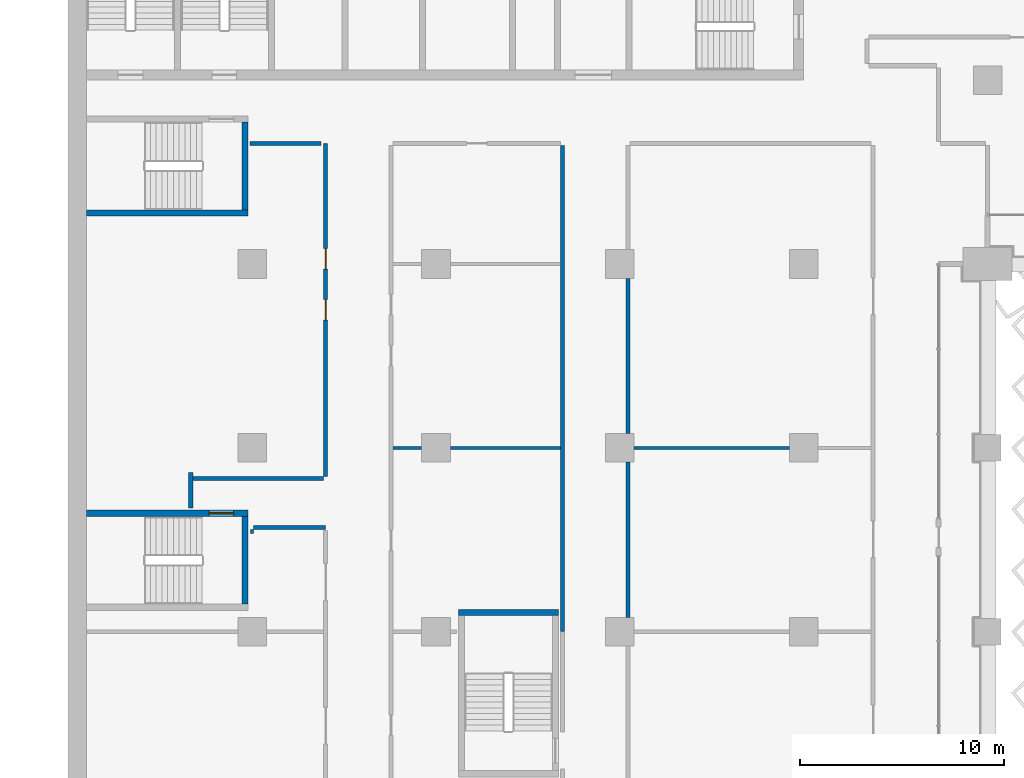
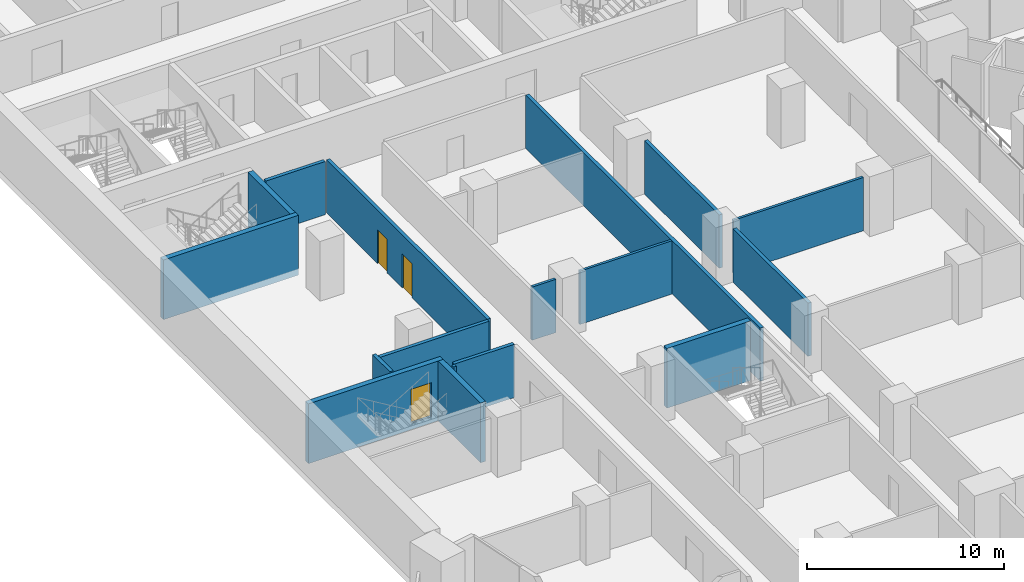
# One storey, part 11 of 28: 17 walls, 3 doors, 3 openings.
"""IFC4 building model written with IfcOpenShell, lengths in metres."""

import ifcopenshell
import ifcopenshell.guid

model = None  # the IFC model being written
_history = None  # IfcOwnerHistory: only IFC2X3 demands one
_inside = {}  # id of a spatial element -> (the spatial element, [elements in it])
_under = {}  # id of a project, library or spatial element -> (it, [spatial elements below it])
_declared = {}  # id of a project -> (the project, [libraries it declares])
_typed = {}  # id of a type object -> (the type object, [elements of that type])
_made_of = {}  # id of a material, layer set ... -> (it, [elements and type objects made of it])


def new_model(schema):
    """Start an empty IFC model of exactly this schema.

    Asked for "IFC4X3", IfcOpenShell would pick the latest addendum, in which some entities
    have other attributes; the version numbers below select the first issue.
    IFC2X3 requires an IfcOwnerHistory on every rooted entity: one is made here for all.
    """
    global model, _history
    if schema == "IFC4X3":
        model = ifcopenshell.file(schema_version=(4, 3, 0, 0))
    else:
        model = ifcopenshell.file(schema=schema)
    _inside.clear()
    _under.clear()
    _declared.clear()
    _typed.clear()
    _made_of.clear()
    _history = None
    if model.schema == "IFC2X3":
        org = make("IfcOrganization", Name="unknown")
        user = make(
            "IfcPersonAndOrganization",
            ThePerson=make("IfcPerson", FamilyName="unknown"),
            TheOrganization=org,
        )
        app = make(
            "IfcApplication",
            ApplicationDeveloper=org,
            Version="unknown",
            ApplicationFullName="unknown",
            ApplicationIdentifier="unknown",
        )
        _history = make(
            "IfcOwnerHistory",
            OwningUser=user,
            OwningApplication=app,
            ChangeAction="ADDED",
            CreationDate=0,
        )
    return model


def make(cls, **values):
    """One entity of the class cls with the attributes given. An attribute that is None is left unset."""
    return model.create_entity(
        cls, **{name: value for name, value in values.items() if value is not None}
    )


def rooted(cls, **values):
    """An entity with a GlobalId (a new one), such as an element, a storey or a relation."""
    return make(cls, GlobalId=ifcopenshell.guid.new(), OwnerHistory=_history, **values)


def si_unit(unit_type, name, prefix=None):
    """IfcSIUnit, for example si_unit("LENGTHUNIT", "METRE", prefix="MILLI")."""
    return make("IfcSIUnit", UnitType=unit_type, Prefix=prefix, Name=name)


def assignment(units):
    """IfcUnitAssignment: the units of a project."""
    return None if units is None else make("IfcUnitAssignment", Units=units)


def point(xyz):
    """IfcCartesianPoint."""
    return None if xyz is None else make("IfcCartesianPoint", Coordinates=xyz)


def direction(xyz):
    """IfcDirection."""
    return None if xyz is None else make("IfcDirection", DirectionRatios=xyz)


def frame(location, z_axis=None, x_axis=None):
    """IfcAxis2Placement3D, a coordinate frame: its origin and axes. An axis left out is left unset."""
    return make(
        "IfcAxis2Placement3D",
        Location=point(location),
        Axis=direction(z_axis),
        RefDirection=direction(x_axis),
    )


def frame_2d(location, x_axis=None):
    """IfcAxis2Placement2D, a coordinate frame in the plane: its origin and x axis."""
    return make(
        "IfcAxis2Placement2D", Location=point(location), RefDirection=direction(x_axis)
    )


def origin():
    """The frame at (0, 0, 0) with its axes left unset."""
    return frame((0.0, 0.0, 0.0))


def place(relative_to, where):
    """IfcLocalPlacement: puts the frame where relative to a parent placement (None: the world)."""
    return make(
        "IfcLocalPlacement", PlacementRelTo=relative_to, RelativePlacement=where
    )


def context(
    kind, dimensions, precision=None, world=None, true_north=None, identifier=None
):
    """IfcGeometricRepresentationContext, for example the 3D "Model" context."""
    return make(
        "IfcGeometricRepresentationContext",
        ContextIdentifier=identifier,
        ContextType=kind,
        CoordinateSpaceDimension=dimensions,
        Precision=precision,
        WorldCoordinateSystem=world,
        TrueNorth=true_north,
    )


def subcontext(parent, identifier, kind, view, scale=None):
    """IfcGeometricRepresentationSubContext, for example "Body" below "Model"."""
    return make(
        "IfcGeometricRepresentationSubContext",
        ContextIdentifier=identifier,
        ContextType=kind,
        ParentContext=parent,
        TargetScale=scale,
        TargetView=view,
    )


def project(units=None, contexts=None):
    """IfcProject with its units and contexts."""
    return rooted(
        "IfcProject",
        Name="project",
        RepresentationContexts=contexts,
        UnitsInContext=assignment(units),
    )


def spatial(cls, under=None, at=None, **own):
    """A site, building, storey or space (cls), placed at a placement, below another one or the project."""
    s = rooted(cls, ObjectPlacement=at, **own)
    if under is not None:
        _under.setdefault(under.id(), (under, []))[1].append(s)
    return s


def profile(cls, at=None, kind="AREA", **sizes):
    """A parametric profile (cls). Its sizes go by their IFC names, for example OverallWidth=200.0."""
    return make(cls, ProfileType=kind, Position=at, **sizes)


def rectangle(**sizes):
    """IfcRectangleProfileDef."""
    return profile("IfcRectangleProfileDef", **sizes)


def extrude(swept, where, along, depth):
    """IfcExtrudedAreaSolid: the profile swept, set in the frame where, extruded along a direction by depth."""
    return make(
        "IfcExtrudedAreaSolid",
        SweptArea=swept,
        Position=where,
        ExtrudedDirection=direction(along),
        Depth=depth,
    )


def shape(context_of_items, identifier, shape_type, items):
    """IfcShapeRepresentation: the items that make up one representation, for example the "Body"."""
    return make(
        "IfcShapeRepresentation",
        ContextOfItems=context_of_items,
        RepresentationIdentifier=identifier,
        RepresentationType=shape_type,
        Items=items,
    )


def material(Name=None, Category=None):
    """IfcMaterial."""
    return make("IfcMaterial", Name=Name, Category=Category)


def layer(
    of_material, thickness, ventilated=None, Name=None, Category=None, Priority=None
):
    """IfcMaterialLayer: one layer of a wall or slab, of a material (None: an air gap)."""
    return make(
        "IfcMaterialLayer",
        Material=of_material,
        LayerThickness=thickness,
        IsVentilated=ventilated,
        Name=Name,
        Category=Category,
        Priority=Priority,
    )


def layer_set(layers, Name=None):
    """IfcMaterialLayerSet."""
    return make("IfcMaterialLayerSet", MaterialLayers=layers, LayerSetName=Name)


def made_of(thing, what):
    """Note that an element or type object is made of a material, layer set ...; save() writes the relation."""
    if what is not None:
        _made_of.setdefault(what.id(), (what, []))[1].append(thing)
    return thing


def type_object(cls, material=None, **own):
    """A type object (cls), such as IfcWallType, which elements share."""
    return made_of(rooted(cls, **own), material)


def element(
    cls,
    number,
    at=None,
    inside=None,
    cuts=None,
    type_object=None,
    material=None,
    context=None,
    identifier="Body",
    shape_type=None,
    held_by="IfcProductDefinitionShape",
    body=None,
    shapes=None,
    **own,
):
    """One element of the class cls, such as IfcWall. Its Tag is "e" and its number.

    at: its placement. inside: the storey or other place that contains it. cuts: it is an
    opening in that element (IfcRelVoidsElement). A single representation is given by context,
    identifier, shape_type and body (its items); several are given by shapes. held_by: the class
    of the entity that holds the representations. save() writes the other relations.
    """
    e = rooted(cls, Tag="e%d" % number, ObjectPlacement=at, **own)
    if body is not None:
        shapes = [shape(context, identifier, shape_type, body)]
    if shapes is not None:
        e.Representation = make(held_by, Representations=shapes)
    if inside is not None:
        _inside.setdefault(inside.id(), (inside, []))[1].append(e)
    if cuts is not None:
        rooted(
            "IfcRelVoidsElement", RelatingBuildingElement=cuts, RelatedOpeningElement=e
        )
    if type_object is not None:
        _typed.setdefault(type_object.id(), (type_object, []))[1].append(e)
    return made_of(e, material)


def fill(opening, filler):
    """IfcRelFillsElement: the door or window that sits in an opening."""
    return rooted(
        "IfcRelFillsElement",
        RelatingOpeningElement=opening,
        RelatedBuildingElement=filler,
    )


def aggregate(whole, parts):
    """IfcRelAggregates: a whole, such as a stair, and the parts it consists of."""
    return rooted("IfcRelAggregates", RelatingObject=whole, RelatedObjects=parts)


def save(model, path):
    """Write the relations noted so far, then the file.

    IfcRelAggregates (storeys below a building ...), IfcRelContainedInSpatialStructure (elements
    in a storey), IfcRelDefinesByType, IfcRelAssociatesMaterial and IfcRelDeclares: one each for
    every whole, place, type object, material and project.
    """
    for whole, parts in _under.values():
        aggregate(whole, parts)
    for where, things in _inside.values():
        rooted(
            "IfcRelContainedInSpatialStructure",
            RelatedElements=things,
            RelatingStructure=where,
        )
    for kind, things in _typed.values():
        rooted("IfcRelDefinesByType", RelatedObjects=things, RelatingType=kind)
    for what, things in _made_of.values():
        rooted("IfcRelAssociatesMaterial", RelatedObjects=things, RelatingMaterial=what)
    for by, libraries in _declared.values():
        rooted("IfcRelDeclares", RelatingContext=by, RelatedDefinitions=libraries)
    model.write(path)


model = new_model("IFC4")

# Units and contexts
model_context = context("Model", 3, precision=1e-05, world=origin(), true_north=direction((0.0, 1.0)))
body_context = subcontext(model_context, "Body", "Model", "MODEL_VIEW")
ifc_project = project(units=[si_unit("LENGTHUNIT", "METRE"), si_unit("AREAUNIT", "SQUARE_METRE"), si_unit("VOLUMEUNIT", "CUBIC_METRE"), si_unit("PLANEANGLEUNIT", "RADIAN"), si_unit("MASSUNIT", "GRAM", prefix="KILO")], contexts=[model_context])

# Site, building, storey
site_placement = place(None, origin())
site = spatial("IfcSite", under=ifc_project, at=site_placement, CompositionType="ELEMENT")
building_placement = place(site_placement, origin())
building = spatial("IfcBuilding", under=site, at=building_placement, Name="Hunhe Ridgeline Campus", CompositionType="ELEMENT")
storey_placement = place(building_placement, frame((0.0, 0.0, 72.800048828125)))
storey = spatial("IfcBuildingStorey", under=building, at=storey_placement, Name="L17", CompositionType="ELEMENT", Elevation=72.800048828125)

# Walls
ifc_material_1 = material(Name="Gypsum board partition")
ifc_layer_1 = layer(ifc_material_1, 0.199951171875)
ifc_layer_set_1 = layer_set([ifc_layer_1], Name="Corridor partition 200 gypsum board on steel studs")
wall_type_1 = type_object("IfcWallType", Name="Corridor partition 200 gypsum board on steel studs", PredefinedType="PARTITIONING", material=ifc_layer_set_1)
wall_1_placement = place(storey_placement, frame((12.60009765625, 41.10009765625, 0.0), z_axis=(0.0, 0.0, 1.0), x_axis=(-1.0, 0.0, 0.0)))
element("IfcWall", 1, at=wall_1_placement, inside=storey, type_object=wall_type_1, Name="F-L17-wall-020", PredefinedType="PARTITIONING", context=body_context, shape_type="SweptSolid", body=[
    extrude(rectangle(XDim=3.525146484375, YDim=0.199951171875, at=frame_2d((1.7626953125, 0.0))), origin(), (0.0, 0.0, 1.0), 3.300048828125),
])
wall_2_placement = place(storey_placement, frame((6.10009765625, 43.5, 0.0), z_axis=(0.0, 0.0, 1.0), x_axis=(1.0, 0.0, 0.0)))
element("IfcWall", 2, at=wall_2_placement, inside=storey, type_object=wall_type_1, Name="F-L17-wall-021", PredefinedType="PARTITIONING", context=body_context, shape_type="SweptSolid", body=[
    extrude(rectangle(XDim=6.39990234375, YDim=0.199951171875, at=frame_2d((3.199951171875, 0.0))), origin(), (0.0, 0.0, 1.0), 3.300048828125),
])
wall_3_placement = place(storey_placement, frame((12.365234375, 59.89990234375, 0.0), z_axis=(0.0, 0.0, 1.0), x_axis=(-1.0, 0.0, 0.0)))
element("IfcWall", 3, at=wall_3_placement, inside=storey, type_object=wall_type_1, Name="F-L17-wall-028", PredefinedType="PARTITIONING", context=body_context, shape_type="SweptSolid", body=[
    extrude(rectangle(XDim=3.461181640625, YDim=0.199951171875, at=frame_2d((1.73046875, 0.0))), origin(), (0.0, 0.0, 1.0), 3.300048828125),
])
wall_4_placement = place(storey_placement, frame((6.0, 42.053955078125, 0.0), z_axis=(0.0, 0.0, 1.0), x_axis=(0.0, 1.0, 0.0)))
element("IfcWall", 4, at=wall_4_placement, inside=storey, type_object=wall_type_1, Name="F-L17-wall-045", PredefinedType="PARTITIONING", context=body_context, shape_type="SweptSolid", body=[
    extrude(rectangle(XDim=1.74609375, YDim=0.199951171875, at=frame_2d((0.873046875, 0.0))), origin(), (0.0, 0.0, 1.0), 3.300048828125),
])

# Wall, openings, doors
wall_5_placement = place(storey_placement, frame((12.60009765625, 43.60009765625, 0.0), z_axis=(0.0, 0.0, 1.0), x_axis=(0.0, 1.0, 0.0)))
wall_5 = element("IfcWall", 5, at=wall_5_placement, inside=storey, type_object=wall_type_1, Name="F-L17-wall-048", PredefinedType="PARTITIONING", context=body_context, shape_type="SweptSolid", body=[
    extrude(rectangle(XDim=16.2998046875, YDim=0.199951171875, at=frame_2d((8.14990234375, 0.0))), origin(), (0.0, 0.0, 1.0), 3.300048828125),
])
opening_1_placement = place(wall_5_placement, frame((7.64990234375, 0.0, 0.0)))
opening_1 = element("IfcOpeningElement", 6, at=opening_1_placement, cuts=wall_5, Name="Opening RD1-015", PredefinedType="OPENING", context=body_context, shape_type="SweptSolid", body=[
    extrude(rectangle(XDim=1.0, YDim=2.10009765625, at=frame_2d((0.5, 1.050048828125))), frame((0.0, 0.10009765625, 0.0), z_axis=(0.0, -1.0, 0.0), x_axis=(1.0, 0.0, 0.0)), (0.0, 0.0, 1.0), 0.199951171875),
])
opening_2_placement = place(wall_5_placement, frame((10.14990234375, 0.0, 0.0)))
opening_2 = element("IfcOpeningElement", 7, at=opening_2_placement, cuts=wall_5, Name="Opening RD1-018", PredefinedType="OPENING", context=body_context, shape_type="SweptSolid", body=[
    extrude(rectangle(XDim=1.0, YDim=2.10009765625, at=frame_2d((0.5, 1.050048828125))), frame((0.0, 0.10009765625, 0.0), z_axis=(0.0, -1.0, 0.0), x_axis=(1.0, 0.0, 0.0)), (0.0, 0.0, 1.0), 0.199951171875),
])
ifc_material_2 = material(Name="Timber door leaf", Category="wood")
door_type_1 = type_object("IfcDoorType", Name="Single fire door 1000x2100 timber FD60", OperationType="NOTDEFINED", PredefinedType="DOOR", material=ifc_material_2)
door_1_placement = place(opening_1_placement, frame((1.0, 0.0, 0.0), z_axis=(0.0, 0.0, 1.0), x_axis=(-1.0, 0.0, 0.0)))
door_1 = element("IfcDoor", 8, at=door_1_placement, inside=storey, type_object=door_type_1, Name="F-L17-door-015", OperationType="SINGLE_SWING_RIGHT", OverallHeight=2.10009765625, OverallWidth=1.0, PredefinedType="DOOR", context=body_context, shape_type="SweptSolid", body=[
    extrude(rectangle(XDim=1.0, YDim=2.10009765625, at=frame_2d((0.5, 1.050048828125))), frame((0.0, 0.02490234375, 0.0), z_axis=(0.0, -1.0, 0.0), x_axis=(1.0, 0.0, 0.0)), (0.0, 0.0, 1.0), 0.050048828125),
])
fill(opening_1, door_1)
door_2_placement = place(opening_2_placement, frame((1.0, 0.0, 0.0), z_axis=(0.0, 0.0, 1.0), x_axis=(-1.0, 0.0, 0.0)))
door_2 = element("IfcDoor", 9, at=door_2_placement, inside=storey, type_object=door_type_1, Name="F-L17-door-018", OperationType="SINGLE_SWING_LEFT", OverallHeight=2.10009765625, OverallWidth=1.0, PredefinedType="DOOR", context=body_context, shape_type="SweptSolid", body=[
    extrude(rectangle(XDim=1.0, YDim=2.10009765625, at=frame_2d((0.5, 1.050048828125))), frame((0.0, 0.02490234375, 0.0), z_axis=(0.0, -1.0, 0.0), x_axis=(1.0, 0.0, 0.0)), (0.0, 0.0, 1.0), 0.050048828125),
])
fill(opening_2, door_2)

# Walls
wall_6_placement = place(storey_placement, frame((24.199951171875, 36.0, 0.0), z_axis=(0.0, 0.0, 1.0), x_axis=(0.0, 1.0, 0.0)))
element("IfcWall", 10, at=wall_6_placement, inside=storey, type_object=wall_type_1, Name="F-L17-wall-052", PredefinedType="PARTITIONING", context=body_context, shape_type="SweptSolid", body=[
    extrude(rectangle(XDim=23.800048828125, YDim=0.199951171875, at=frame_2d((11.89990234375, 0.0))), origin(), (0.0, 0.0, 1.0), 3.300048828125),
])
for number, where, z_axis, x_axis, name in (
    (11, (27.39990234375, 44.300048828125, 0.0), (0.0, 0.0, 1.0), (0.0, -1.0, 0.0), "F-L17-wall-057"),
    (12, (27.39990234375, 53.300048828125, 0.0), (0.0, 0.0, 1.0), (0.0, -1.0, 0.0), "F-L17-wall-058"),
):
    element("IfcWall", number, at=place(storey_placement, frame(where, z_axis=z_axis, x_axis=x_axis)), inside=storey, type_object=wall_type_1, Name=name, PredefinedType="PARTITIONING", context=body_context, shape_type="SweptSolid", body=[
        extrude(rectangle(XDim=7.60009765625, YDim=0.199951171875, at=frame_2d((3.800048828125, 0.0))), origin(), (0.0, 0.0, 1.0), 3.300048828125),
    ])
ifc_layer_2 = layer(ifc_material_1, 0.14990234375)
ifc_layer_set_2 = layer_set([ifc_layer_2], Name="Room partition 150 gypsum board on steel studs")
wall_type_2 = type_object("IfcWallType", Name="Room partition 150 gypsum board on steel studs", PredefinedType="PARTITIONING", material=ifc_layer_set_2)
wall_7_placement = place(storey_placement, frame((15.89990234375, 45.0, 0.0), z_axis=(0.0, 0.0, 1.0), x_axis=(1.0, 0.0, 0.0)))
element("IfcWall", 13, at=wall_7_placement, inside=storey, type_object=wall_type_2, Name="F-L17-wall-022", PredefinedType="PARTITIONING", context=body_context, shape_type="SweptSolid", body=[
    extrude(rectangle(XDim=1.400146484375, YDim=0.14990234375, at=frame_2d((0.7001953125, 0.0))), origin(), (0.0, 0.0, 1.0), 3.300048828125),
])
wall_8_placement = place(storey_placement, frame((18.699951171875, 45.0, 0.0), z_axis=(0.0, 0.0, 1.0), x_axis=(1.0, 0.0, 0.0)))
element("IfcWall", 14, at=wall_8_placement, inside=storey, type_object=wall_type_2, Name="F-L17-wall-023", PredefinedType="PARTITIONING", context=body_context, shape_type="SweptSolid", body=[
    extrude(rectangle(XDim=5.400146484375, YDim=0.14990234375, at=frame_2d((2.7001953125, 0.0))), origin(), (0.0, 0.0, 1.0), 3.300048828125),
])
wall_9_placement = place(storey_placement, frame((27.699951171875, 45.0, 0.0), z_axis=(0.0, 0.0, 1.0), x_axis=(1.0, 0.0, 0.0)))
element("IfcWall", 15, at=wall_9_placement, inside=storey, type_object=wall_type_2, Name="F-L17-wall-024", PredefinedType="PARTITIONING", context=body_context, shape_type="SweptSolid", body=[
    extrude(rectangle(XDim=7.60009765625, YDim=0.14990234375, at=frame_2d((3.800048828125, 0.0))), origin(), (0.0, 0.0, 1.0), 3.300048828125),
])
wall_10_placement = place(storey_placement, frame((9.0, 41.0, 0.0), z_axis=(0.0, 0.0, 1.0), x_axis=(0.0, -1.0, 0.0)))
element("IfcWall", 16, at=wall_10_placement, inside=storey, type_object=wall_type_2, Name="F-L17-wall-046", PredefinedType="PARTITIONING", context=body_context, shape_type="SweptSolid", body=[
    extrude(rectangle(XDim=0.199951171875, YDim=0.14990234375, at=frame_2d((0.10009765625, 0.0))), origin(), (0.0, 0.0, 1.0), 3.300048828125),
])
ifc_material_3 = material(Name="Concrete C80", Category="concrete")
ifc_layer_3 = layer(ifc_material_3, 0.300048828125)
ifc_layer_set_3 = layer_set([ifc_layer_3], Name="Stair wall 300 reinforced concrete C80")
wall_type_3 = type_object("IfcWallType", Name="Stair wall 300 reinforced concrete C80", PredefinedType="SOLIDWALL", material=ifc_layer_set_3)
wall_11_placement = place(storey_placement, frame((19.10009765625, 36.949951171875, -0.400146484375), z_axis=(0.0, 0.0, 1.0), x_axis=(1.0, 0.0, 0.0)))
element("IfcWall", 17, at=wall_11_placement, inside=storey, type_object=wall_type_3, Name="L17 core wall 2", PredefinedType="SOLIDWALL", context=body_context, shape_type="SweptSolid", body=[
    extrude(rectangle(XDim=4.89990234375, YDim=0.300048828125, at=frame_2d((2.449951171875, 0.0))), origin(), (0.0, 0.0, 1.0), 3.7001953125),
])

# Wall, opening, door
wall_12_placement = place(storey_placement, frame((0.89990234375, 41.800048828125, -0.400146484375), z_axis=(0.0, 0.0, 1.0), x_axis=(1.0, 0.0, 0.0)))
wall_12 = element("IfcWall", 18, at=wall_12_placement, inside=storey, type_object=wall_type_3, Name="L17 core wall 4", PredefinedType="SOLIDWALL", context=body_context, shape_type="SweptSolid", body=[
    extrude(rectangle(XDim=7.900146484375, YDim=0.300048828125, at=frame_2d((3.9501953125, 0.0))), origin(), (0.0, 0.0, 1.0), 3.7001953125),
])
opening_3_placement = place(wall_12_placement, frame((6.0, 0.0, 0.39990234375)))
opening_3 = element("IfcOpeningElement", 19, at=opening_3_placement, cuts=wall_12, Name="Opening CD21", PredefinedType="OPENING", context=body_context, shape_type="SweptSolid", body=[
    extrude(rectangle(XDim=1.199951171875, YDim=2.10009765625, at=frame_2d((0.60009765625, 1.050048828125))), frame((0.0, 0.14990234375, 0.0), z_axis=(0.0, -1.0, 0.0), x_axis=(1.0, 0.0, 0.0)), (0.0, 0.0, 1.0), 0.300048828125),
])
ifc_material_4 = material(Name="Hollow metal fire door leaf")
door_type_2 = type_object("IfcDoorType", Name="Stair door 1200x2100 FD60", OperationType="SINGLE_SWING_LEFT", PredefinedType="DOOR", material=ifc_material_4)
door_3_placement = place(opening_3_placement, origin())
door_3 = element("IfcDoor", 20, at=door_3_placement, inside=storey, type_object=door_type_2, Name="L17 door W1", OperationType="SINGLE_SWING_LEFT", OverallHeight=2.10009765625, OverallWidth=1.199951171875, PredefinedType="DOOR", context=body_context, shape_type="SweptSolid", body=[
    extrude(rectangle(XDim=1.199951171875, YDim=2.10009765625, at=frame_2d((0.60009765625, 1.050048828125))), frame((0.0, 0.02490234375, 0.0), z_axis=(0.0, -1.0, 0.0), x_axis=(1.0, 0.0, 0.0)), (0.0, 0.0, 1.0), 0.050048828125),
])
fill(opening_3, door_3)

# Walls
wall_13_placement = place(storey_placement, frame((0.89990234375, 56.5, -0.400146484375), z_axis=(0.0, 0.0, 1.0), x_axis=(1.0, 0.0, 0.0)))
element("IfcWall", 21, at=wall_13_placement, inside=storey, type_object=wall_type_3, Name="L17 core wall 5", PredefinedType="SOLIDWALL", context=body_context, shape_type="SweptSolid", body=[
    extrude(rectangle(XDim=7.900146484375, YDim=0.300048828125, at=frame_2d((3.9501953125, 0.0))), origin(), (0.0, 0.0, 1.0), 3.7001953125),
])
wall_14_placement = place(storey_placement, frame((8.64990234375, 37.35009765625, -0.400146484375), z_axis=(0.0, 0.0, 1.0), x_axis=(0.0, 1.0, 0.0)))
element("IfcWall", 22, at=wall_14_placement, inside=storey, type_object=wall_type_3, Name="L17 core wall 39", PredefinedType="SOLIDWALL", context=body_context, shape_type="SweptSolid", body=[
    extrude(rectangle(XDim=4.2998046875, YDim=0.300048828125, at=frame_2d((2.14990234375, 0.0))), origin(), (0.0, 0.0, 1.0), 3.7001953125),
])
wall_15_placement = place(storey_placement, frame((8.64990234375, 56.64990234375, -0.400146484375), z_axis=(0.0, 0.0, 1.0), x_axis=(0.0, 1.0, 0.0)))
element("IfcWall", 23, at=wall_15_placement, inside=storey, type_object=wall_type_3, Name="L17 core wall 40", PredefinedType="SOLIDWALL", context=body_context, shape_type="SweptSolid", body=[
    extrude(rectangle(XDim=4.300048828125, YDim=0.300048828125, at=frame_2d((2.14990234375, 0.0))), origin(), (0.0, 0.0, 1.0), 3.7001953125),
])

save(model, "model.ifc")
